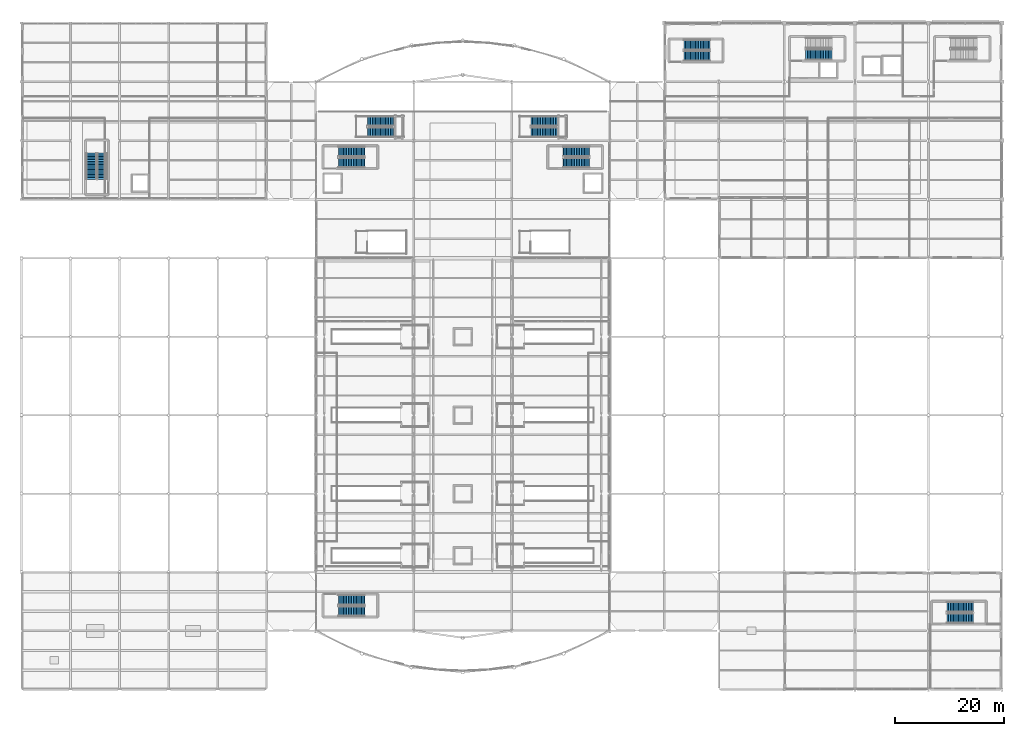
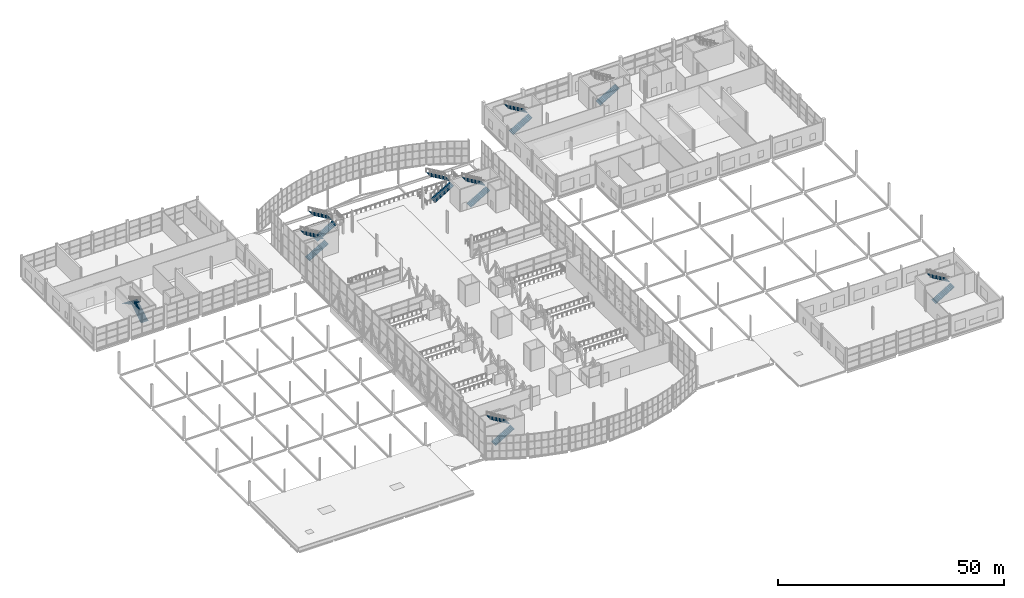
# One storey, part 175 of 191: 17 stair flights, 9 elements without a shape of their own.
"""IFC4 building model written with IfcOpenShell, lengths in metres."""

import ifcopenshell
import ifcopenshell.guid

model = None  # the IFC model being written
_history = None  # IfcOwnerHistory: only IFC2X3 demands one
_inside = {}  # id of a spatial element -> (the spatial element, [elements in it])
_under = {}  # id of a project, library or spatial element -> (it, [spatial elements below it])
_declared = {}  # id of a project -> (the project, [libraries it declares])
_typed = {}  # id of a type object -> (the type object, [elements of that type])
_made_of = {}  # id of a material, layer set ... -> (it, [elements and type objects made of it])


def new_model(schema):
    """Start an empty IFC model of exactly this schema.

    Asked for "IFC4X3", IfcOpenShell would pick the latest addendum, in which some entities
    have other attributes; the version numbers below select the first issue.
    IFC2X3 requires an IfcOwnerHistory on every rooted entity: one is made here for all.
    """
    global model, _history
    if schema == "IFC4X3":
        model = ifcopenshell.file(schema_version=(4, 3, 0, 0))
    else:
        model = ifcopenshell.file(schema=schema)
    _inside.clear()
    _under.clear()
    _declared.clear()
    _typed.clear()
    _made_of.clear()
    _history = None
    if model.schema == "IFC2X3":
        org = make("IfcOrganization", Name="unknown")
        user = make(
            "IfcPersonAndOrganization",
            ThePerson=make("IfcPerson", FamilyName="unknown"),
            TheOrganization=org,
        )
        app = make(
            "IfcApplication",
            ApplicationDeveloper=org,
            Version="unknown",
            ApplicationFullName="unknown",
            ApplicationIdentifier="unknown",
        )
        _history = make(
            "IfcOwnerHistory",
            OwningUser=user,
            OwningApplication=app,
            ChangeAction="ADDED",
            CreationDate=0,
        )
    return model


def make(cls, **values):
    """One entity of the class cls with the attributes given. An attribute that is None is left unset."""
    return model.create_entity(
        cls, **{name: value for name, value in values.items() if value is not None}
    )


def rooted(cls, **values):
    """An entity with a GlobalId (a new one), such as an element, a storey or a relation."""
    return make(cls, GlobalId=ifcopenshell.guid.new(), OwnerHistory=_history, **values)


def si_unit(unit_type, name, prefix=None):
    """IfcSIUnit, for example si_unit("LENGTHUNIT", "METRE", prefix="MILLI")."""
    return make("IfcSIUnit", UnitType=unit_type, Prefix=prefix, Name=name)


def assignment(units):
    """IfcUnitAssignment: the units of a project."""
    return None if units is None else make("IfcUnitAssignment", Units=units)


def point(xyz):
    """IfcCartesianPoint."""
    return None if xyz is None else make("IfcCartesianPoint", Coordinates=xyz)


def direction(xyz):
    """IfcDirection."""
    return None if xyz is None else make("IfcDirection", DirectionRatios=xyz)


def frame(location, z_axis=None, x_axis=None):
    """IfcAxis2Placement3D, a coordinate frame: its origin and axes. An axis left out is left unset."""
    return make(
        "IfcAxis2Placement3D",
        Location=point(location),
        Axis=direction(z_axis),
        RefDirection=direction(x_axis),
    )


def origin():
    """The frame at (0, 0, 0) with its axes left unset."""
    return frame((0.0, 0.0, 0.0))


def place(relative_to, where):
    """IfcLocalPlacement: puts the frame where relative to a parent placement (None: the world)."""
    return make(
        "IfcLocalPlacement", PlacementRelTo=relative_to, RelativePlacement=where
    )


def context(
    kind, dimensions, precision=None, world=None, true_north=None, identifier=None
):
    """IfcGeometricRepresentationContext, for example the 3D "Model" context."""
    return make(
        "IfcGeometricRepresentationContext",
        ContextIdentifier=identifier,
        ContextType=kind,
        CoordinateSpaceDimension=dimensions,
        Precision=precision,
        WorldCoordinateSystem=world,
        TrueNorth=true_north,
    )


def subcontext(parent, identifier, kind, view, scale=None):
    """IfcGeometricRepresentationSubContext, for example "Body" below "Model"."""
    return make(
        "IfcGeometricRepresentationSubContext",
        ContextIdentifier=identifier,
        ContextType=kind,
        ParentContext=parent,
        TargetScale=scale,
        TargetView=view,
    )


def project(units=None, contexts=None):
    """IfcProject with its units and contexts."""
    return rooted(
        "IfcProject",
        Name="project",
        RepresentationContexts=contexts,
        UnitsInContext=assignment(units),
    )


def spatial(cls, under=None, at=None, **own):
    """A site, building, storey or space (cls), placed at a placement, below another one or the project."""
    s = rooted(cls, ObjectPlacement=at, **own)
    if under is not None:
        _under.setdefault(under.id(), (under, []))[1].append(s)
    return s


def polyline(points):
    """IfcPolyline through the points."""
    return make("IfcPolyline", Points=[point(p) for p in points])


def outline(outer, holes=None, kind="AREA"):
    """IfcArbitraryClosedProfileDef: a profile drawn as a closed curve; with holes, ...WithVoids."""
    if holes is None:
        return make("IfcArbitraryClosedProfileDef", ProfileType=kind, OuterCurve=outer)
    return make(
        "IfcArbitraryProfileDefWithVoids",
        ProfileType=kind,
        OuterCurve=outer,
        InnerCurves=holes,
    )


def extrude(swept, where, along, depth):
    """IfcExtrudedAreaSolid: the profile swept, set in the frame where, extruded along a direction by depth."""
    return make(
        "IfcExtrudedAreaSolid",
        SweptArea=swept,
        Position=where,
        ExtrudedDirection=direction(along),
        Depth=depth,
    )


def shape(context_of_items, identifier, shape_type, items):
    """IfcShapeRepresentation: the items that make up one representation, for example the "Body"."""
    return make(
        "IfcShapeRepresentation",
        ContextOfItems=context_of_items,
        RepresentationIdentifier=identifier,
        RepresentationType=shape_type,
        Items=items,
    )


def material(Name=None, Category=None):
    """IfcMaterial."""
    return make("IfcMaterial", Name=Name, Category=Category)


def made_of(thing, what):
    """Note that an element or type object is made of a material, layer set ...; save() writes the relation."""
    if what is not None:
        _made_of.setdefault(what.id(), (what, []))[1].append(thing)
    return thing


def type_object(cls, material=None, **own):
    """A type object (cls), such as IfcWallType, which elements share."""
    return made_of(rooted(cls, **own), material)


def element(
    cls,
    number,
    at=None,
    inside=None,
    cuts=None,
    type_object=None,
    material=None,
    context=None,
    identifier="Body",
    shape_type=None,
    held_by="IfcProductDefinitionShape",
    body=None,
    shapes=None,
    **own,
):
    """One element of the class cls, such as IfcWall. Its Tag is "e" and its number.

    at: its placement. inside: the storey or other place that contains it. cuts: it is an
    opening in that element (IfcRelVoidsElement). A single representation is given by context,
    identifier, shape_type and body (its items); several are given by shapes. held_by: the class
    of the entity that holds the representations. save() writes the other relations.
    """
    e = rooted(cls, Tag="e%d" % number, ObjectPlacement=at, **own)
    if body is not None:
        shapes = [shape(context, identifier, shape_type, body)]
    if shapes is not None:
        e.Representation = make(held_by, Representations=shapes)
    if inside is not None:
        _inside.setdefault(inside.id(), (inside, []))[1].append(e)
    if cuts is not None:
        rooted(
            "IfcRelVoidsElement", RelatingBuildingElement=cuts, RelatedOpeningElement=e
        )
    if type_object is not None:
        _typed.setdefault(type_object.id(), (type_object, []))[1].append(e)
    return made_of(e, material)


def aggregate(whole, parts):
    """IfcRelAggregates: a whole, such as a stair, and the parts it consists of."""
    return rooted("IfcRelAggregates", RelatingObject=whole, RelatedObjects=parts)


def save(model, path):
    """Write the relations noted so far, then the file.

    IfcRelAggregates (storeys below a building ...), IfcRelContainedInSpatialStructure (elements
    in a storey), IfcRelDefinesByType, IfcRelAssociatesMaterial and IfcRelDeclares: one each for
    every whole, place, type object, material and project.
    """
    for whole, parts in _under.values():
        aggregate(whole, parts)
    for where, things in _inside.values():
        rooted(
            "IfcRelContainedInSpatialStructure",
            RelatedElements=things,
            RelatingStructure=where,
        )
    for kind, things in _typed.values():
        rooted("IfcRelDefinesByType", RelatedObjects=things, RelatingType=kind)
    for what, things in _made_of.values():
        rooted("IfcRelAssociatesMaterial", RelatedObjects=things, RelatingMaterial=what)
    for by, libraries in _declared.values():
        rooted("IfcRelDeclares", RelatingContext=by, RelatedDefinitions=libraries)
    model.write(path)


model = new_model("IFC4")

# Units and contexts
model_context = context("Model", 3, precision=1e-05, world=origin(), true_north=direction((0.0, 1.0)))
body_context = subcontext(model_context, "Body", "Model", "MODEL_VIEW")
ifc_project = project(units=[si_unit("LENGTHUNIT", "METRE"), si_unit("AREAUNIT", "SQUARE_METRE"), si_unit("VOLUMEUNIT", "CUBIC_METRE"), si_unit("PLANEANGLEUNIT", "RADIAN"), si_unit("MASSUNIT", "GRAM", prefix="KILO")], contexts=[model_context])

# Site, building, storey
site_placement = place(None, origin())
site = spatial("IfcSite", under=ifc_project, at=site_placement, CompositionType="ELEMENT")
building_placement = place(site_placement, origin())
building = spatial("IfcBuilding", under=site, at=building_placement, Name="Tamarisk Ironworks Central Station", CompositionType="ELEMENT")
storey_placement = place(building_placement, frame((0.0, 0.0, 6.60009765625)))
storey = spatial("IfcBuildingStorey", under=building, at=storey_placement, Name="L01", CompositionType="ELEMENT", Elevation=6.60009765625)

# Stair, stair flight
ifc_material = material(Name="Concrete C35/45", Category="concrete")
stair_type_1 = type_object("IfcStairType", Name="ST-CORE-A", PredefinedType="HALF_TURN_STAIR", material=ifc_material)
stair_1_placement = place(storey_placement, origin())
stair_1 = element("IfcStair", 1, at=stair_1_placement, inside=storey, type_object=stair_type_1, Name="L01 Firefighting Exit Stair Core 1", PredefinedType="HALF_TURN_STAIR")
stair_flight_type_1 = type_object("IfcStairFlightType", Name="SF-CORE-A", PredefinedType="STRAIGHT", material=ifc_material)
stair_flight_1_placement = place(storey_placement, frame((143.949951171875, 116.574951171875, 0.0), z_axis=(0.0, 0.0, 1.0), x_axis=(1.0, 0.0, 0.0)))
stair_flight_1 = element("IfcStairFlight", 2, at=stair_flight_1_placement, type_object=stair_flight_type_1, Name="ST-C1 flight 1", NumberOfRisers=17, NumberOfTreads=16, PredefinedType="STRAIGHT", RiserHeight=0.176470588, TreadLength=0.3, context=body_context, shape_type="SweptSolid", body=[
    extrude(outline(polyline([(-0.01806640625, 0.0), (-0.01806640625, 0.11474609375), (0.0, 0.11474609375), (0.0, 0.176513671875), (0.300048828125, 0.176513671875), (0.300048828125, 0.35302734375), (0.60009765625, 0.35302734375), (0.60009765625, 0.529296875), (0.89990234375, 0.529296875), (0.89990234375, 0.705810546875), (1.199951171875, 0.705810546875), (1.199951171875, 0.88232421875), (1.5, 0.88232421875), (1.5, 1.058837890625), (1.800048828125, 1.058837890625), (1.800048828125, 1.2353515625), (2.10009765625, 1.2353515625), (2.10009765625, 1.411865234375), (2.39990234375, 1.411865234375), (2.39990234375, 1.588134765625), (2.699951171875, 1.588134765625), (2.699951171875, 1.7646484375), (3.0, 1.7646484375), (3.0, 1.941162109375), (3.300048828125, 1.941162109375), (3.300048828125, 2.11767578125), (3.60009765625, 2.11767578125), (3.60009765625, 2.294189453125), (3.89990234375, 2.294189453125), (3.89990234375, 2.470703125), (4.199951171875, 2.470703125), (4.199951171875, 2.64697265625), (4.5, 2.64697265625), (4.5, 2.823486328125), (4.800048828125, 2.823486328125), (4.800048828125, 3.0), (4.818115234375, 3.0), (4.818115234375, 2.81005859375), (0.080078125, 0.0), (-0.01806640625, 0.0)])), frame((0.0, 0.97509765625, 0.0), z_axis=(0.0, -1.0, 0.0), x_axis=(1.0, 0.0, 0.0)), (0.0, 0.0, 1.0), 1.949951171875),
])
aggregate(stair_1, [stair_flight_1])

# Stair, stair flights
stair_type_2 = type_object("IfcStairType", Name="ST-CORE-B", PredefinedType="HALF_TURN_STAIR", material=ifc_material)
stair_2_placement = place(storey_placement, origin())
stair_2 = element("IfcStair", 3, at=stair_2_placement, inside=storey, type_object=stair_type_2, Name="L01 West Concourse Exit Stair Core 3", PredefinedType="HALF_TURN_STAIR")
stair_flight_type_2 = type_object("IfcStairFlightType", Name="SF-CORE-B", PredefinedType="STRAIGHT", material=ifc_material)
stair_flight_2_placement = place(storey_placement, frame((58.199951171875, 96.72509765625, 0.0), z_axis=(0.0, 0.0, 1.0), x_axis=(1.0, 0.0, 0.0)))
stair_flight_2 = element("IfcStairFlight", 4, at=stair_flight_2_placement, type_object=stair_flight_type_2, Name="ST-C3 flight 1", NumberOfRisers=17, NumberOfTreads=16, PredefinedType="STRAIGHT", RiserHeight=0.176470588, TreadLength=0.3, context=body_context, shape_type="SweptSolid", body=[
    extrude(outline(polyline([(-0.01806640625, 0.0), (-0.01806640625, 0.11474609375), (0.0, 0.11474609375), (0.0, 0.176513671875), (0.300048828125, 0.176513671875), (0.300048828125, 0.35302734375), (0.60009765625, 0.35302734375), (0.60009765625, 0.529296875), (0.89990234375, 0.529296875), (0.89990234375, 0.705810546875), (1.199951171875, 0.705810546875), (1.199951171875, 0.88232421875), (1.5, 0.88232421875), (1.5, 1.058837890625), (1.800048828125, 1.058837890625), (1.800048828125, 1.2353515625), (2.10009765625, 1.2353515625), (2.10009765625, 1.411865234375), (2.39990234375, 1.411865234375), (2.39990234375, 1.588134765625), (2.699951171875, 1.588134765625), (2.699951171875, 1.7646484375), (3.0, 1.7646484375), (3.0, 1.941162109375), (3.300048828125, 1.941162109375), (3.300048828125, 2.11767578125), (3.60009765625, 2.11767578125), (3.60009765625, 2.294189453125), (3.89990234375, 2.294189453125), (3.89990234375, 2.470703125), (4.199951171875, 2.470703125), (4.199951171875, 2.64697265625), (4.5, 2.64697265625), (4.5, 2.823486328125), (4.800048828125, 2.823486328125), (4.800048828125, 3.0), (4.818115234375, 3.0), (4.818115234375, 2.81005859375), (0.080078125, 0.0), (-0.01806640625, 0.0)])), frame((0.0, 0.925048828125, 0.0), z_axis=(0.0, -1.0, 0.0), x_axis=(1.0, 0.0, 0.0)), (0.0, 0.0, 1.0), 1.85009765625),
])
stair_flight_3_placement = place(storey_placement, frame((63.0, 98.77490234375, 3.0), z_axis=(0.0, 0.0, 1.0), x_axis=(-1.0, 0.0, 0.0)))
stair_flight_3 = element("IfcStairFlight", 5, at=stair_flight_3_placement, type_object=stair_flight_type_2, Name="ST-C3 flight 2", NumberOfRisers=17, NumberOfTreads=16, PredefinedType="STRAIGHT", RiserHeight=0.176470588, TreadLength=0.3, context=body_context, shape_type="SweptSolid", body=[
    extrude(outline(polyline([(-0.01806640625, 0.0), (-0.01806640625, 0.11474609375), (0.0, 0.11474609375), (0.0, 0.176513671875), (0.300048828125, 0.176513671875), (0.300048828125, 0.35302734375), (0.60009765625, 0.35302734375), (0.60009765625, 0.529296875), (0.89990234375, 0.529296875), (0.89990234375, 0.705810546875), (1.199951171875, 0.705810546875), (1.199951171875, 0.88232421875), (1.5, 0.88232421875), (1.5, 1.058837890625), (1.800048828125, 1.058837890625), (1.800048828125, 1.2353515625), (2.10009765625, 1.2353515625), (2.10009765625, 1.411865234375), (2.39990234375, 1.411865234375), (2.39990234375, 1.588134765625), (2.699951171875, 1.588134765625), (2.699951171875, 1.7646484375), (3.0, 1.7646484375), (3.0, 1.941162109375), (3.300048828125, 1.941162109375), (3.300048828125, 2.11767578125), (3.60009765625, 2.11767578125), (3.60009765625, 2.294189453125), (3.89990234375, 2.294189453125), (3.89990234375, 2.470703125), (4.199951171875, 2.470703125), (4.199951171875, 2.64697265625), (4.5, 2.64697265625), (4.5, 2.823486328125), (4.800048828125, 2.823486328125), (4.800048828125, 3.0), (4.818115234375, 3.0), (4.818115234375, 2.81005859375), (0.080078125, 0.0), (-0.01806640625, 0.0)])), frame((0.0, 0.925048828125, 0.0), z_axis=(0.0, -1.0, 0.0), x_axis=(1.0, 0.0, 0.0)), (0.0, 0.0, 1.0), 1.85009765625),
])
aggregate(stair_2, [stair_flight_2, stair_flight_3])

stair_3_placement = place(storey_placement, origin())
stair_3 = element("IfcStair", 6, at=stair_3_placement, inside=storey, type_object=stair_type_2, Name="L01 East Concourse Exit Stair Core 4", PredefinedType="HALF_TURN_STAIR")
stair_flight_4_placement = place(storey_placement, frame((99.449951171875, 96.72509765625, 0.0), z_axis=(0.0, 0.0, 1.0), x_axis=(1.0, 0.0, 0.0)))
stair_flight_4 = element("IfcStairFlight", 7, at=stair_flight_4_placement, type_object=stair_flight_type_2, Name="ST-C4 flight 1", NumberOfRisers=17, NumberOfTreads=16, PredefinedType="STRAIGHT", RiserHeight=0.176470588, TreadLength=0.3, context=body_context, shape_type="SweptSolid", body=[
    extrude(outline(polyline([(-0.01806640625, 0.0), (-0.01806640625, 0.11474609375), (0.0, 0.11474609375), (0.0, 0.176513671875), (0.300048828125, 0.176513671875), (0.300048828125, 0.35302734375), (0.60009765625, 0.35302734375), (0.60009765625, 0.529296875), (0.89990234375, 0.529296875), (0.89990234375, 0.705810546875), (1.199951171875, 0.705810546875), (1.199951171875, 0.88232421875), (1.5, 0.88232421875), (1.5, 1.058837890625), (1.800048828125, 1.058837890625), (1.800048828125, 1.2353515625), (2.10009765625, 1.2353515625), (2.10009765625, 1.411865234375), (2.39990234375, 1.411865234375), (2.39990234375, 1.588134765625), (2.699951171875, 1.588134765625), (2.699951171875, 1.7646484375), (3.0, 1.7646484375), (3.0, 1.941162109375), (3.300048828125, 1.941162109375), (3.300048828125, 2.11767578125), (3.60009765625, 2.11767578125), (3.60009765625, 2.294189453125), (3.89990234375, 2.294189453125), (3.89990234375, 2.470703125), (4.199951171875, 2.470703125), (4.199951171875, 2.64697265625), (4.5, 2.64697265625), (4.5, 2.823486328125), (4.800048828125, 2.823486328125), (4.800048828125, 3.0), (4.818115234375, 3.0), (4.818115234375, 2.81005859375), (0.080078125, 0.0), (-0.01806640625, 0.0)])), frame((0.0, 0.925048828125, 0.0), z_axis=(0.0, -1.0, 0.0), x_axis=(1.0, 0.0, 0.0)), (0.0, 0.0, 1.0), 1.85009765625),
])
stair_flight_5_placement = place(storey_placement, frame((104.25, 98.77490234375, 3.0), z_axis=(0.0, 0.0, 1.0), x_axis=(-1.0, 0.0, 0.0)))
stair_flight_5 = element("IfcStairFlight", 8, at=stair_flight_5_placement, type_object=stair_flight_type_2, Name="ST-C4 flight 2", NumberOfRisers=17, NumberOfTreads=16, PredefinedType="STRAIGHT", RiserHeight=0.176470588, TreadLength=0.3, context=body_context, shape_type="SweptSolid", body=[
    extrude(outline(polyline([(-0.01806640625, 0.0), (-0.01806640625, 0.11474609375), (0.0, 0.11474609375), (0.0, 0.176513671875), (0.300048828125, 0.176513671875), (0.300048828125, 0.35302734375), (0.60009765625, 0.35302734375), (0.60009765625, 0.529296875), (0.89990234375, 0.529296875), (0.89990234375, 0.705810546875), (1.199951171875, 0.705810546875), (1.199951171875, 0.88232421875), (1.5, 0.88232421875), (1.5, 1.058837890625), (1.800048828125, 1.058837890625), (1.800048828125, 1.2353515625), (2.10009765625, 1.2353515625), (2.10009765625, 1.411865234375), (2.39990234375, 1.411865234375), (2.39990234375, 1.588134765625), (2.699951171875, 1.588134765625), (2.699951171875, 1.7646484375), (3.0, 1.7646484375), (3.0, 1.941162109375), (3.300048828125, 1.941162109375), (3.300048828125, 2.11767578125), (3.60009765625, 2.11767578125), (3.60009765625, 2.294189453125), (3.89990234375, 2.294189453125), (3.89990234375, 2.470703125), (4.199951171875, 2.470703125), (4.199951171875, 2.64697265625), (4.5, 2.64697265625), (4.5, 2.823486328125), (4.800048828125, 2.823486328125), (4.800048828125, 3.0), (4.818115234375, 3.0), (4.818115234375, 2.81005859375), (0.080078125, 0.0), (-0.01806640625, 0.0)])), frame((0.0, 0.925048828125, 0.0), z_axis=(0.0, -1.0, 0.0), x_axis=(1.0, 0.0, 0.0)), (0.0, 0.0, 1.0), 1.85009765625),
])
aggregate(stair_3, [stair_flight_4, stair_flight_5])

stair_type_3 = type_object("IfcStairType", Name="ST-CORE-C", PredefinedType="HALF_TURN_STAIR", material=ifc_material)
stair_4_placement = place(storey_placement, origin())
stair_4 = element("IfcStair", 9, at=stair_4_placement, inside=storey, type_object=stair_type_3, Name="L01 Courtyard Exit Stair Core 5", PredefinedType="HALF_TURN_STAIR")
stair_flight_type_3 = type_object("IfcStairFlightType", Name="SF-CORE-C", PredefinedType="STRAIGHT", material=ifc_material)
stair_flight_6_placement = place(storey_placement, frame((121.60009765625, 116.324951171875, 0.0), z_axis=(0.0, 0.0, 1.0), x_axis=(1.0, 0.0, 0.0)))
stair_flight_6 = element("IfcStairFlight", 10, at=stair_flight_6_placement, type_object=stair_flight_type_3, Name="ST-C5 flight 1", NumberOfRisers=17, NumberOfTreads=16, PredefinedType="STRAIGHT", RiserHeight=0.176470588, TreadLength=0.3, context=body_context, shape_type="SweptSolid", body=[
    extrude(outline(polyline([(-0.01806640625, 0.0), (-0.01806640625, 0.11474609375), (0.0, 0.11474609375), (0.0, 0.176513671875), (0.300048828125, 0.176513671875), (0.300048828125, 0.35302734375), (0.60009765625, 0.35302734375), (0.60009765625, 0.529296875), (0.89990234375, 0.529296875), (0.89990234375, 0.705810546875), (1.199951171875, 0.705810546875), (1.199951171875, 0.88232421875), (1.5, 0.88232421875), (1.5, 1.058837890625), (1.800048828125, 1.058837890625), (1.800048828125, 1.2353515625), (2.10009765625, 1.2353515625), (2.10009765625, 1.411865234375), (2.39990234375, 1.411865234375), (2.39990234375, 1.588134765625), (2.699951171875, 1.588134765625), (2.699951171875, 1.7646484375), (3.0, 1.7646484375), (3.0, 1.941162109375), (3.300048828125, 1.941162109375), (3.300048828125, 2.11767578125), (3.60009765625, 2.11767578125), (3.60009765625, 2.294189453125), (3.89990234375, 2.294189453125), (3.89990234375, 2.470703125), (4.199951171875, 2.470703125), (4.199951171875, 2.64697265625), (4.5, 2.64697265625), (4.5, 2.823486328125), (4.800048828125, 2.823486328125), (4.800048828125, 3.0), (4.818115234375, 3.0), (4.818115234375, 2.81005859375), (0.080078125, 0.0), (-0.01806640625, 0.0)])), frame((0.0, 0.925048828125, 0.0), z_axis=(0.0, -1.0, 0.0), x_axis=(1.0, 0.0, 0.0)), (0.0, 0.0, 1.0), 1.85009765625),
])
stair_flight_7_placement = place(storey_placement, frame((126.39990234375, 118.375, 3.0), z_axis=(0.0, 0.0, 1.0), x_axis=(-1.0, 0.0, 0.0)))
stair_flight_7 = element("IfcStairFlight", 11, at=stair_flight_7_placement, type_object=stair_flight_type_3, Name="ST-C5 flight 2", NumberOfRisers=17, NumberOfTreads=16, PredefinedType="STRAIGHT", RiserHeight=0.176470588, TreadLength=0.3, context=body_context, shape_type="SweptSolid", body=[
    extrude(outline(polyline([(-0.01806640625, 0.0), (-0.01806640625, 0.11474609375), (0.0, 0.11474609375), (0.0, 0.176513671875), (0.300048828125, 0.176513671875), (0.300048828125, 0.35302734375), (0.60009765625, 0.35302734375), (0.60009765625, 0.529296875), (0.89990234375, 0.529296875), (0.89990234375, 0.705810546875), (1.199951171875, 0.705810546875), (1.199951171875, 0.88232421875), (1.5, 0.88232421875), (1.5, 1.058837890625), (1.800048828125, 1.058837890625), (1.800048828125, 1.2353515625), (2.10009765625, 1.2353515625), (2.10009765625, 1.411865234375), (2.39990234375, 1.411865234375), (2.39990234375, 1.588134765625), (2.699951171875, 1.588134765625), (2.699951171875, 1.7646484375), (3.0, 1.7646484375), (3.0, 1.941162109375), (3.300048828125, 1.941162109375), (3.300048828125, 2.11767578125), (3.60009765625, 2.11767578125), (3.60009765625, 2.294189453125), (3.89990234375, 2.294189453125), (3.89990234375, 2.470703125), (4.199951171875, 2.470703125), (4.199951171875, 2.64697265625), (4.5, 2.64697265625), (4.5, 2.823486328125), (4.800048828125, 2.823486328125), (4.800048828125, 3.0), (4.818115234375, 3.0), (4.818115234375, 2.81005859375), (0.080078125, 0.0), (-0.01806640625, 0.0)])), frame((0.0, 0.925048828125, 0.0), z_axis=(0.0, -1.0, 0.0), x_axis=(1.0, 0.0, 0.0)), (0.0, 0.0, 1.0), 1.85009765625),
])
aggregate(stair_4, [stair_flight_6, stair_flight_7])

stair_5_placement = place(storey_placement, origin())
stair_5 = element("IfcStair", 12, at=stair_5_placement, inside=storey, type_object=stair_type_3, Name="L01 Retail Pavilion Exit Stair Core 6", PredefinedType="HALF_TURN_STAIR")
stair_flight_8_placement = place(storey_placement, frame((14.875, 93.699951171875, 0.0), z_axis=(0.0, 0.0, 1.0), x_axis=(0.0, 1.0, 0.0)))
stair_flight_8 = element("IfcStairFlight", 13, at=stair_flight_8_placement, type_object=stair_flight_type_3, Name="ST-C6 flight 1", NumberOfRisers=17, NumberOfTreads=16, PredefinedType="STRAIGHT", RiserHeight=0.176470588, TreadLength=0.3, context=body_context, shape_type="SweptSolid", body=[
    extrude(outline(polyline([(-0.01806640625, 0.0), (-0.01806640625, 0.11474609375), (0.0, 0.11474609375), (0.0, 0.176513671875), (0.300048828125, 0.176513671875), (0.300048828125, 0.35302734375), (0.60009765625, 0.35302734375), (0.60009765625, 0.529296875), (0.89990234375, 0.529296875), (0.89990234375, 0.705810546875), (1.199951171875, 0.705810546875), (1.199951171875, 0.88232421875), (1.5, 0.88232421875), (1.5, 1.058837890625), (1.800048828125, 1.058837890625), (1.800048828125, 1.2353515625), (2.10009765625, 1.2353515625), (2.10009765625, 1.411865234375), (2.39990234375, 1.411865234375), (2.39990234375, 1.588134765625), (2.699951171875, 1.588134765625), (2.699951171875, 1.7646484375), (3.0, 1.7646484375), (3.0, 1.941162109375), (3.300048828125, 1.941162109375), (3.300048828125, 2.11767578125), (3.60009765625, 2.11767578125), (3.60009765625, 2.294189453125), (3.89990234375, 2.294189453125), (3.89990234375, 2.470703125), (4.199951171875, 2.470703125), (4.199951171875, 2.64697265625), (4.5, 2.64697265625), (4.5, 2.823486328125), (4.800048828125, 2.823486328125), (4.800048828125, 3.0), (4.818115234375, 3.0), (4.818115234375, 2.81005859375), (0.080078125, 0.0), (-0.01806640625, 0.0)])), frame((0.0, 0.925048828125, 0.0), z_axis=(0.0, -1.0, 0.0), x_axis=(1.0, 0.0, 0.0)), (0.0, 0.0, 1.0), 1.85009765625),
])
stair_flight_9_placement = place(storey_placement, frame((12.824951171875, 98.5, 3.0), z_axis=(0.0, 0.0, 1.0), x_axis=(0.0, -1.0, 0.0)))
stair_flight_9 = element("IfcStairFlight", 14, at=stair_flight_9_placement, type_object=stair_flight_type_3, Name="ST-C6 flight 2", NumberOfRisers=17, NumberOfTreads=16, PredefinedType="STRAIGHT", RiserHeight=0.176470588, TreadLength=0.3, context=body_context, shape_type="SweptSolid", body=[
    extrude(outline(polyline([(-0.01806640625, 0.0), (-0.01806640625, 0.11474609375), (0.0, 0.11474609375), (0.0, 0.176513671875), (0.300048828125, 0.176513671875), (0.300048828125, 0.35302734375), (0.60009765625, 0.35302734375), (0.60009765625, 0.529296875), (0.89990234375, 0.529296875), (0.89990234375, 0.705810546875), (1.199951171875, 0.705810546875), (1.199951171875, 0.88232421875), (1.5, 0.88232421875), (1.5, 1.058837890625), (1.800048828125, 1.058837890625), (1.800048828125, 1.2353515625), (2.10009765625, 1.2353515625), (2.10009765625, 1.411865234375), (2.39990234375, 1.411865234375), (2.39990234375, 1.588134765625), (2.699951171875, 1.588134765625), (2.699951171875, 1.7646484375), (3.0, 1.7646484375), (3.0, 1.941162109375), (3.300048828125, 1.941162109375), (3.300048828125, 2.11767578125), (3.60009765625, 2.11767578125), (3.60009765625, 2.294189453125), (3.89990234375, 2.294189453125), (3.89990234375, 2.470703125), (4.199951171875, 2.470703125), (4.199951171875, 2.64697265625), (4.5, 2.64697265625), (4.5, 2.823486328125), (4.800048828125, 2.823486328125), (4.800048828125, 3.0), (4.818115234375, 3.0), (4.818115234375, 2.81005859375), (0.080078125, 0.0), (-0.01806640625, 0.0)])), frame((0.0, 0.925048828125, 0.0), z_axis=(0.0, -1.0, 0.0), x_axis=(1.0, 0.0, 0.0)), (0.0, 0.0, 1.0), 1.85009765625),
])
aggregate(stair_5, [stair_flight_8, stair_flight_9])

stair_type_4 = type_object("IfcStairType", Name="ST-CORE-D", PredefinedType="HALF_TURN_STAIR", material=ifc_material)
stair_6_placement = place(storey_placement, origin())
stair_6 = element("IfcStair", 15, at=stair_6_placement, inside=storey, type_object=stair_type_4, Name="L01 South-East Operations Annex Exit Stair Core 7", PredefinedType="HALF_TURN_STAIR")
stair_flight_type_4 = type_object("IfcStairFlightType", Name="SF-CORE-D", PredefinedType="STRAIGHT", material=ifc_material)
stair_flight_10_placement = place(storey_placement, frame((169.89990234375, 13.125, 0.0), z_axis=(0.0, 0.0, 1.0), x_axis=(1.0, 0.0, 0.0)))
stair_flight_10 = element("IfcStairFlight", 16, at=stair_flight_10_placement, type_object=stair_flight_type_4, Name="ST-C7 flight 1", NumberOfRisers=17, NumberOfTreads=16, PredefinedType="STRAIGHT", RiserHeight=0.176470588, TreadLength=0.3, context=body_context, shape_type="SweptSolid", body=[
    extrude(outline(polyline([(-0.01806640625, 0.0), (-0.01806640625, 0.11474609375), (0.0, 0.11474609375), (0.0, 0.176513671875), (0.300048828125, 0.176513671875), (0.300048828125, 0.35302734375), (0.60009765625, 0.35302734375), (0.60009765625, 0.529296875), (0.89990234375, 0.529296875), (0.89990234375, 0.705810546875), (1.199951171875, 0.705810546875), (1.199951171875, 0.88232421875), (1.5, 0.88232421875), (1.5, 1.058837890625), (1.800048828125, 1.058837890625), (1.800048828125, 1.2353515625), (2.10009765625, 1.2353515625), (2.10009765625, 1.411865234375), (2.39990234375, 1.411865234375), (2.39990234375, 1.588134765625), (2.699951171875, 1.588134765625), (2.699951171875, 1.7646484375), (3.0, 1.7646484375), (3.0, 1.941162109375), (3.300048828125, 1.941162109375), (3.300048828125, 2.11767578125), (3.60009765625, 2.11767578125), (3.60009765625, 2.294189453125), (3.89990234375, 2.294189453125), (3.89990234375, 2.470703125), (4.199951171875, 2.470703125), (4.199951171875, 2.64697265625), (4.5, 2.64697265625), (4.5, 2.823486328125), (4.800048828125, 2.823486328125), (4.800048828125, 3.0), (4.818115234375, 3.0), (4.818115234375, 2.81005859375), (0.080078125, 0.0), (-0.01806640625, 0.0)])), frame((0.0, 0.925048828125, 0.0), z_axis=(0.0, -1.0, 0.0), x_axis=(1.0, 0.0, 0.0)), (0.0, 0.0, 1.0), 1.85009765625),
])
stair_flight_11_placement = place(storey_placement, frame((174.699951171875, 15.175048828125, 3.0), z_axis=(0.0, 0.0, 1.0), x_axis=(-1.0, 0.0, 0.0)))
stair_flight_11 = element("IfcStairFlight", 17, at=stair_flight_11_placement, type_object=stair_flight_type_4, Name="ST-C7 flight 2", NumberOfRisers=17, NumberOfTreads=16, PredefinedType="STRAIGHT", RiserHeight=0.176470588, TreadLength=0.3, context=body_context, shape_type="SweptSolid", body=[
    extrude(outline(polyline([(-0.01806640625, 0.0), (-0.01806640625, 0.11474609375), (0.0, 0.11474609375), (0.0, 0.176513671875), (0.300048828125, 0.176513671875), (0.300048828125, 0.35302734375), (0.60009765625, 0.35302734375), (0.60009765625, 0.529296875), (0.89990234375, 0.529296875), (0.89990234375, 0.705810546875), (1.199951171875, 0.705810546875), (1.199951171875, 0.88232421875), (1.5, 0.88232421875), (1.5, 1.058837890625), (1.800048828125, 1.058837890625), (1.800048828125, 1.2353515625), (2.10009765625, 1.2353515625), (2.10009765625, 1.411865234375), (2.39990234375, 1.411865234375), (2.39990234375, 1.588134765625), (2.699951171875, 1.588134765625), (2.699951171875, 1.7646484375), (3.0, 1.7646484375), (3.0, 1.941162109375), (3.300048828125, 1.941162109375), (3.300048828125, 2.11767578125), (3.60009765625, 2.11767578125), (3.60009765625, 2.294189453125), (3.89990234375, 2.294189453125), (3.89990234375, 2.470703125), (4.199951171875, 2.470703125), (4.199951171875, 2.64697265625), (4.5, 2.64697265625), (4.5, 2.823486328125), (4.800048828125, 2.823486328125), (4.800048828125, 3.0), (4.818115234375, 3.0), (4.818115234375, 2.81005859375), (0.080078125, 0.0), (-0.01806640625, 0.0)])), frame((0.0, 0.925048828125, 0.0), z_axis=(0.0, -1.0, 0.0), x_axis=(1.0, 0.0, 0.0)), (0.0, 0.0, 1.0), 1.85009765625),
])
aggregate(stair_6, [stair_flight_10, stair_flight_11])

stair_7_placement = place(storey_placement, origin())
stair_7 = element("IfcStair", 18, at=stair_7_placement, inside=storey, type_object=stair_type_4, Name="L01 South Concourse Exit Stair Core 8", PredefinedType="HALF_TURN_STAIR")
stair_flight_12_placement = place(storey_placement, frame((58.199951171875, 14.425048828125, 0.0), z_axis=(0.0, 0.0, 1.0), x_axis=(1.0, 0.0, 0.0)))
stair_flight_12 = element("IfcStairFlight", 19, at=stair_flight_12_placement, type_object=stair_flight_type_4, Name="ST-C8 flight 1", NumberOfRisers=17, NumberOfTreads=16, PredefinedType="STRAIGHT", RiserHeight=0.176470588, TreadLength=0.3, context=body_context, shape_type="SweptSolid", body=[
    extrude(outline(polyline([(-0.01806640625, 0.0), (-0.01806640625, 0.11474609375), (0.0, 0.11474609375), (0.0, 0.176513671875), (0.300048828125, 0.176513671875), (0.300048828125, 0.35302734375), (0.60009765625, 0.35302734375), (0.60009765625, 0.529296875), (0.89990234375, 0.529296875), (0.89990234375, 0.705810546875), (1.199951171875, 0.705810546875), (1.199951171875, 0.88232421875), (1.5, 0.88232421875), (1.5, 1.058837890625), (1.800048828125, 1.058837890625), (1.800048828125, 1.2353515625), (2.10009765625, 1.2353515625), (2.10009765625, 1.411865234375), (2.39990234375, 1.411865234375), (2.39990234375, 1.588134765625), (2.699951171875, 1.588134765625), (2.699951171875, 1.7646484375), (3.0, 1.7646484375), (3.0, 1.941162109375), (3.300048828125, 1.941162109375), (3.300048828125, 2.11767578125), (3.60009765625, 2.11767578125), (3.60009765625, 2.294189453125), (3.89990234375, 2.294189453125), (3.89990234375, 2.470703125), (4.199951171875, 2.470703125), (4.199951171875, 2.64697265625), (4.5, 2.64697265625), (4.5, 2.823486328125), (4.800048828125, 2.823486328125), (4.800048828125, 3.0), (4.818115234375, 3.0), (4.818115234375, 2.81005859375), (0.080078125, 0.0), (-0.01806640625, 0.0)])), frame((0.0, 0.925048828125, 0.0), z_axis=(0.0, -1.0, 0.0), x_axis=(1.0, 0.0, 0.0)), (0.0, 0.0, 1.0), 1.85009765625),
])
stair_flight_13_placement = place(storey_placement, frame((63.0, 16.47509765625, 3.0), z_axis=(0.0, 0.0, 1.0), x_axis=(-1.0, 0.0, 0.0)))
stair_flight_13 = element("IfcStairFlight", 20, at=stair_flight_13_placement, type_object=stair_flight_type_4, Name="ST-C8 flight 2", NumberOfRisers=17, NumberOfTreads=16, PredefinedType="STRAIGHT", RiserHeight=0.176470588, TreadLength=0.3, context=body_context, shape_type="SweptSolid", body=[
    extrude(outline(polyline([(-0.01806640625, 0.0), (-0.01806640625, 0.11474609375), (0.0, 0.11474609375), (0.0, 0.176513671875), (0.300048828125, 0.176513671875), (0.300048828125, 0.35302734375), (0.60009765625, 0.35302734375), (0.60009765625, 0.529296875), (0.89990234375, 0.529296875), (0.89990234375, 0.705810546875), (1.199951171875, 0.705810546875), (1.199951171875, 0.88232421875), (1.5, 0.88232421875), (1.5, 1.058837890625), (1.800048828125, 1.058837890625), (1.800048828125, 1.2353515625), (2.10009765625, 1.2353515625), (2.10009765625, 1.411865234375), (2.39990234375, 1.411865234375), (2.39990234375, 1.588134765625), (2.699951171875, 1.588134765625), (2.699951171875, 1.7646484375), (3.0, 1.7646484375), (3.0, 1.941162109375), (3.300048828125, 1.941162109375), (3.300048828125, 2.11767578125), (3.60009765625, 2.11767578125), (3.60009765625, 2.294189453125), (3.89990234375, 2.294189453125), (3.89990234375, 2.470703125), (4.199951171875, 2.470703125), (4.199951171875, 2.64697265625), (4.5, 2.64697265625), (4.5, 2.823486328125), (4.800048828125, 2.823486328125), (4.800048828125, 3.0), (4.818115234375, 3.0), (4.818115234375, 2.81005859375), (0.080078125, 0.0), (-0.01806640625, 0.0)])), frame((0.0, 0.925048828125, 0.0), z_axis=(0.0, -1.0, 0.0), x_axis=(1.0, 0.0, 0.0)), (0.0, 0.0, 1.0), 1.85009765625),
])
aggregate(stair_7, [stair_flight_12, stair_flight_13])

stair_type_5 = type_object("IfcStairType", Name="ST-MEZZ", PredefinedType="HALF_TURN_STAIR", material=ifc_material)
stair_8_placement = place(storey_placement, origin())
stair_8 = element("IfcStair", 21, at=stair_8_placement, inside=storey, type_object=stair_type_5, Name="L01 West Mezzanine Overlook Stair", PredefinedType="HALF_TURN_STAIR")
stair_flight_type_5 = type_object("IfcStairFlightType", Name="SF-MEZZ", PredefinedType="STRAIGHT", material=ifc_material)
stair_flight_14_placement = place(storey_placement, frame((63.5, 102.324951171875, 0.0), z_axis=(0.0, 0.0, 1.0), x_axis=(1.0, 0.0, 0.0)))
stair_flight_14 = element("IfcStairFlight", 22, at=stair_flight_14_placement, type_object=stair_flight_type_5, Name="ST-MZ1 flight 1", NumberOfRisers=17, NumberOfTreads=16, PredefinedType="STRAIGHT", RiserHeight=0.176470588, TreadLength=0.3, context=body_context, shape_type="SweptSolid", body=[
    extrude(outline(polyline([(-0.01806640625, 0.0), (-0.01806640625, 0.11474609375), (0.0, 0.11474609375), (0.0, 0.176513671875), (0.300048828125, 0.176513671875), (0.300048828125, 0.35302734375), (0.60009765625, 0.35302734375), (0.60009765625, 0.529296875), (0.89990234375, 0.529296875), (0.89990234375, 0.705810546875), (1.199951171875, 0.705810546875), (1.199951171875, 0.88232421875), (1.5, 0.88232421875), (1.5, 1.058837890625), (1.800048828125, 1.058837890625), (1.800048828125, 1.2353515625), (2.10009765625, 1.2353515625), (2.10009765625, 1.411865234375), (2.39990234375, 1.411865234375), (2.39990234375, 1.588134765625), (2.699951171875, 1.588134765625), (2.699951171875, 1.7646484375), (3.0, 1.7646484375), (3.0, 1.941162109375), (3.300048828125, 1.941162109375), (3.300048828125, 2.11767578125), (3.60009765625, 2.11767578125), (3.60009765625, 2.294189453125), (3.89990234375, 2.294189453125), (3.89990234375, 2.470703125), (4.199951171875, 2.470703125), (4.199951171875, 2.64697265625), (4.5, 2.64697265625), (4.5, 2.823486328125), (4.800048828125, 2.823486328125), (4.800048828125, 3.0), (4.818115234375, 3.0), (4.818115234375, 2.81005859375), (0.080078125, 0.0), (-0.01806640625, 0.0)])), frame((0.0, 0.925048828125, 0.0), z_axis=(0.0, -1.0, 0.0), x_axis=(1.0, 0.0, 0.0)), (0.0, 0.0, 1.0), 1.85009765625),
])
stair_flight_15_placement = place(storey_placement, frame((68.300048828125, 104.375, 3.0), z_axis=(0.0, 0.0, 1.0), x_axis=(-1.0, 0.0, 0.0)))
stair_flight_15 = element("IfcStairFlight", 23, at=stair_flight_15_placement, type_object=stair_flight_type_5, Name="ST-MZ1 flight 2", NumberOfRisers=17, NumberOfTreads=16, PredefinedType="STRAIGHT", RiserHeight=0.176470588, TreadLength=0.3, context=body_context, shape_type="SweptSolid", body=[
    extrude(outline(polyline([(-0.01806640625, 0.0), (-0.01806640625, 0.11474609375), (0.0, 0.11474609375), (0.0, 0.176513671875), (0.300048828125, 0.176513671875), (0.300048828125, 0.35302734375), (0.60009765625, 0.35302734375), (0.60009765625, 0.529296875), (0.89990234375, 0.529296875), (0.89990234375, 0.705810546875), (1.199951171875, 0.705810546875), (1.199951171875, 0.88232421875), (1.5, 0.88232421875), (1.5, 1.058837890625), (1.800048828125, 1.058837890625), (1.800048828125, 1.2353515625), (2.10009765625, 1.2353515625), (2.10009765625, 1.411865234375), (2.39990234375, 1.411865234375), (2.39990234375, 1.588134765625), (2.699951171875, 1.588134765625), (2.699951171875, 1.7646484375), (3.0, 1.7646484375), (3.0, 1.941162109375), (3.300048828125, 1.941162109375), (3.300048828125, 2.11767578125), (3.60009765625, 2.11767578125), (3.60009765625, 2.294189453125), (3.89990234375, 2.294189453125), (3.89990234375, 2.470703125), (4.199951171875, 2.470703125), (4.199951171875, 2.64697265625), (4.5, 2.64697265625), (4.5, 2.823486328125), (4.800048828125, 2.823486328125), (4.800048828125, 3.0), (4.818115234375, 3.0), (4.818115234375, 2.81005859375), (0.080078125, 0.0), (-0.01806640625, 0.0)])), frame((0.0, 0.925048828125, 0.0), z_axis=(0.0, -1.0, 0.0), x_axis=(1.0, 0.0, 0.0)), (0.0, 0.0, 1.0), 1.85009765625),
])
aggregate(stair_8, [stair_flight_14, stair_flight_15])

stair_9_placement = place(storey_placement, origin())
stair_9 = element("IfcStair", 24, at=stair_9_placement, inside=storey, type_object=stair_type_5, Name="L01 East Mezzanine Overlook Stair", PredefinedType="HALF_TURN_STAIR")
stair_flight_16_placement = place(storey_placement, frame((93.5, 102.324951171875, 0.0), z_axis=(0.0, 0.0, 1.0), x_axis=(1.0, 0.0, 0.0)))
stair_flight_16 = element("IfcStairFlight", 25, at=stair_flight_16_placement, type_object=stair_flight_type_5, Name="ST-MZ2 flight 1", NumberOfRisers=17, NumberOfTreads=16, PredefinedType="STRAIGHT", RiserHeight=0.176470588, TreadLength=0.3, context=body_context, shape_type="SweptSolid", body=[
    extrude(outline(polyline([(-0.01806640625, 0.0), (-0.01806640625, 0.11474609375), (0.0, 0.11474609375), (0.0, 0.176513671875), (0.300048828125, 0.176513671875), (0.300048828125, 0.35302734375), (0.60009765625, 0.35302734375), (0.60009765625, 0.529296875), (0.89990234375, 0.529296875), (0.89990234375, 0.705810546875), (1.199951171875, 0.705810546875), (1.199951171875, 0.88232421875), (1.5, 0.88232421875), (1.5, 1.058837890625), (1.800048828125, 1.058837890625), (1.800048828125, 1.2353515625), (2.10009765625, 1.2353515625), (2.10009765625, 1.411865234375), (2.39990234375, 1.411865234375), (2.39990234375, 1.588134765625), (2.699951171875, 1.588134765625), (2.699951171875, 1.7646484375), (3.0, 1.7646484375), (3.0, 1.941162109375), (3.300048828125, 1.941162109375), (3.300048828125, 2.11767578125), (3.60009765625, 2.11767578125), (3.60009765625, 2.294189453125), (3.89990234375, 2.294189453125), (3.89990234375, 2.470703125), (4.199951171875, 2.470703125), (4.199951171875, 2.64697265625), (4.5, 2.64697265625), (4.5, 2.823486328125), (4.800048828125, 2.823486328125), (4.800048828125, 3.0), (4.818115234375, 3.0), (4.818115234375, 2.81005859375), (0.080078125, 0.0), (-0.01806640625, 0.0)])), frame((0.0, 0.925048828125, 0.0), z_axis=(0.0, -1.0, 0.0), x_axis=(1.0, 0.0, 0.0)), (0.0, 0.0, 1.0), 1.85009765625),
])
stair_flight_17_placement = place(storey_placement, frame((98.300048828125, 104.375, 3.0), z_axis=(0.0, 0.0, 1.0), x_axis=(-1.0, 0.0, 0.0)))
stair_flight_17 = element("IfcStairFlight", 26, at=stair_flight_17_placement, type_object=stair_flight_type_5, Name="ST-MZ2 flight 2", NumberOfRisers=17, NumberOfTreads=16, PredefinedType="STRAIGHT", RiserHeight=0.176470588, TreadLength=0.3, context=body_context, shape_type="SweptSolid", body=[
    extrude(outline(polyline([(-0.01806640625, 0.0), (-0.01806640625, 0.11474609375), (0.0, 0.11474609375), (0.0, 0.176513671875), (0.300048828125, 0.176513671875), (0.300048828125, 0.35302734375), (0.60009765625, 0.35302734375), (0.60009765625, 0.529296875), (0.89990234375, 0.529296875), (0.89990234375, 0.705810546875), (1.199951171875, 0.705810546875), (1.199951171875, 0.88232421875), (1.5, 0.88232421875), (1.5, 1.058837890625), (1.800048828125, 1.058837890625), (1.800048828125, 1.2353515625), (2.10009765625, 1.2353515625), (2.10009765625, 1.411865234375), (2.39990234375, 1.411865234375), (2.39990234375, 1.588134765625), (2.699951171875, 1.588134765625), (2.699951171875, 1.7646484375), (3.0, 1.7646484375), (3.0, 1.941162109375), (3.300048828125, 1.941162109375), (3.300048828125, 2.11767578125), (3.60009765625, 2.11767578125), (3.60009765625, 2.294189453125), (3.89990234375, 2.294189453125), (3.89990234375, 2.470703125), (4.199951171875, 2.470703125), (4.199951171875, 2.64697265625), (4.5, 2.64697265625), (4.5, 2.823486328125), (4.800048828125, 2.823486328125), (4.800048828125, 3.0), (4.818115234375, 3.0), (4.818115234375, 2.81005859375), (0.080078125, 0.0), (-0.01806640625, 0.0)])), frame((0.0, 0.925048828125, 0.0), z_axis=(0.0, -1.0, 0.0), x_axis=(1.0, 0.0, 0.0)), (0.0, 0.0, 1.0), 1.85009765625),
])
aggregate(stair_9, [stair_flight_16, stair_flight_17])

save(model, "model.ifc")
